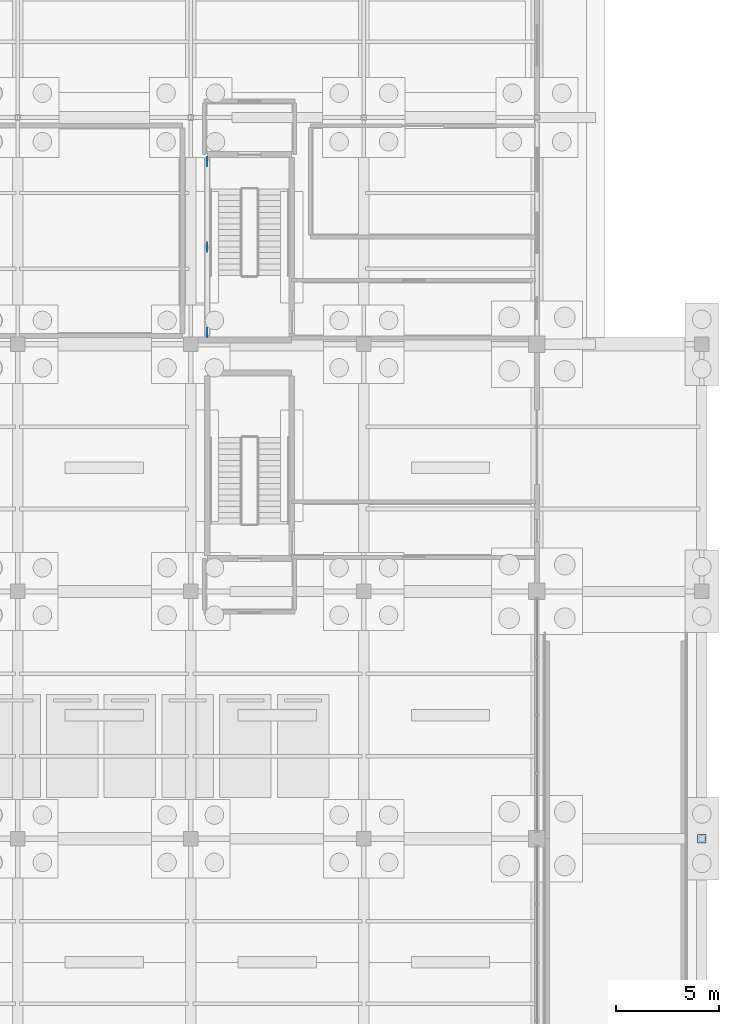
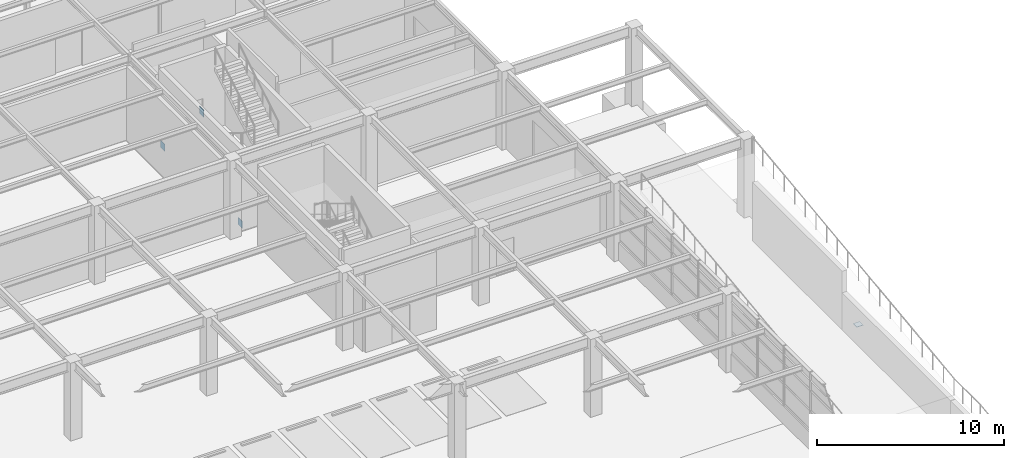
# One storey, part 99 of 129: 4 plates.
"""IFC4 building model written with IfcOpenShell, lengths in metres."""

import ifcopenshell
import ifcopenshell.guid

model = None  # the IFC model being written
_history = None  # IfcOwnerHistory: only IFC2X3 demands one
_inside = {}  # id of a spatial element -> (the spatial element, [elements in it])
_under = {}  # id of a project, library or spatial element -> (it, [spatial elements below it])
_declared = {}  # id of a project -> (the project, [libraries it declares])
_typed = {}  # id of a type object -> (the type object, [elements of that type])
_made_of = {}  # id of a material, layer set ... -> (it, [elements and type objects made of it])


def new_model(schema):
    """Start an empty IFC model of exactly this schema.

    Asked for "IFC4X3", IfcOpenShell would pick the latest addendum, in which some entities
    have other attributes; the version numbers below select the first issue.
    IFC2X3 requires an IfcOwnerHistory on every rooted entity: one is made here for all.
    """
    global model, _history
    if schema == "IFC4X3":
        model = ifcopenshell.file(schema_version=(4, 3, 0, 0))
    else:
        model = ifcopenshell.file(schema=schema)
    _inside.clear()
    _under.clear()
    _declared.clear()
    _typed.clear()
    _made_of.clear()
    _history = None
    if model.schema == "IFC2X3":
        org = make("IfcOrganization", Name="unknown")
        user = make(
            "IfcPersonAndOrganization",
            ThePerson=make("IfcPerson", FamilyName="unknown"),
            TheOrganization=org,
        )
        app = make(
            "IfcApplication",
            ApplicationDeveloper=org,
            Version="unknown",
            ApplicationFullName="unknown",
            ApplicationIdentifier="unknown",
        )
        _history = make(
            "IfcOwnerHistory",
            OwningUser=user,
            OwningApplication=app,
            ChangeAction="ADDED",
            CreationDate=0,
        )
    return model


def make(cls, **values):
    """One entity of the class cls with the attributes given. An attribute that is None is left unset."""
    return model.create_entity(
        cls, **{name: value for name, value in values.items() if value is not None}
    )


def rooted(cls, **values):
    """An entity with a GlobalId (a new one), such as an element, a storey or a relation."""
    return make(cls, GlobalId=ifcopenshell.guid.new(), OwnerHistory=_history, **values)


def si_unit(unit_type, name, prefix=None):
    """IfcSIUnit, for example si_unit("LENGTHUNIT", "METRE", prefix="MILLI")."""
    return make("IfcSIUnit", UnitType=unit_type, Prefix=prefix, Name=name)


def assignment(units):
    """IfcUnitAssignment: the units of a project."""
    return None if units is None else make("IfcUnitAssignment", Units=units)


def point(xyz):
    """IfcCartesianPoint."""
    return None if xyz is None else make("IfcCartesianPoint", Coordinates=xyz)


def direction(xyz):
    """IfcDirection."""
    return None if xyz is None else make("IfcDirection", DirectionRatios=xyz)


def frame(location, z_axis=None, x_axis=None):
    """IfcAxis2Placement3D, a coordinate frame: its origin and axes. An axis left out is left unset."""
    return make(
        "IfcAxis2Placement3D",
        Location=point(location),
        Axis=direction(z_axis),
        RefDirection=direction(x_axis),
    )


def frame_2d(location, x_axis=None):
    """IfcAxis2Placement2D, a coordinate frame in the plane: its origin and x axis."""
    return make(
        "IfcAxis2Placement2D", Location=point(location), RefDirection=direction(x_axis)
    )


def origin():
    """The frame at (0, 0, 0) with its axes left unset."""
    return frame((0.0, 0.0, 0.0))


def origin_2d():
    """The frame at (0, 0) in the plane with its x axis left unset."""
    return frame_2d((0.0, 0.0))


def place(relative_to, where):
    """IfcLocalPlacement: puts the frame where relative to a parent placement (None: the world)."""
    return make(
        "IfcLocalPlacement", PlacementRelTo=relative_to, RelativePlacement=where
    )


def context(
    kind, dimensions, precision=None, world=None, true_north=None, identifier=None
):
    """IfcGeometricRepresentationContext, for example the 3D "Model" context."""
    return make(
        "IfcGeometricRepresentationContext",
        ContextIdentifier=identifier,
        ContextType=kind,
        CoordinateSpaceDimension=dimensions,
        Precision=precision,
        WorldCoordinateSystem=world,
        TrueNorth=true_north,
    )


def subcontext(parent, identifier, kind, view, scale=None):
    """IfcGeometricRepresentationSubContext, for example "Body" below "Model"."""
    return make(
        "IfcGeometricRepresentationSubContext",
        ContextIdentifier=identifier,
        ContextType=kind,
        ParentContext=parent,
        TargetScale=scale,
        TargetView=view,
    )


def project(units=None, contexts=None):
    """IfcProject with its units and contexts."""
    return rooted(
        "IfcProject",
        Name="project",
        RepresentationContexts=contexts,
        UnitsInContext=assignment(units),
    )


def spatial(cls, under=None, at=None, **own):
    """A site, building, storey or space (cls), placed at a placement, below another one or the project."""
    s = rooted(cls, ObjectPlacement=at, **own)
    if under is not None:
        _under.setdefault(under.id(), (under, []))[1].append(s)
    return s


def profile(cls, at=None, kind="AREA", **sizes):
    """A parametric profile (cls). Its sizes go by their IFC names, for example OverallWidth=200.0."""
    return make(cls, ProfileType=kind, Position=at, **sizes)


def rectangle(**sizes):
    """IfcRectangleProfileDef."""
    return profile("IfcRectangleProfileDef", **sizes)


def extrude(swept, where, along, depth):
    """IfcExtrudedAreaSolid: the profile swept, set in the frame where, extruded along a direction by depth."""
    return make(
        "IfcExtrudedAreaSolid",
        SweptArea=swept,
        Position=where,
        ExtrudedDirection=direction(along),
        Depth=depth,
    )


def shape(context_of_items, identifier, shape_type, items):
    """IfcShapeRepresentation: the items that make up one representation, for example the "Body"."""
    return make(
        "IfcShapeRepresentation",
        ContextOfItems=context_of_items,
        RepresentationIdentifier=identifier,
        RepresentationType=shape_type,
        Items=items,
    )


def material(Name=None, Category=None):
    """IfcMaterial."""
    return make("IfcMaterial", Name=Name, Category=Category)


def layer(
    of_material, thickness, ventilated=None, Name=None, Category=None, Priority=None
):
    """IfcMaterialLayer: one layer of a wall or slab, of a material (None: an air gap)."""
    return make(
        "IfcMaterialLayer",
        Material=of_material,
        LayerThickness=thickness,
        IsVentilated=ventilated,
        Name=Name,
        Category=Category,
        Priority=Priority,
    )


def layer_set(layers, Name=None):
    """IfcMaterialLayerSet."""
    return make("IfcMaterialLayerSet", MaterialLayers=layers, LayerSetName=Name)


def made_of(thing, what):
    """Note that an element or type object is made of a material, layer set ...; save() writes the relation."""
    if what is not None:
        _made_of.setdefault(what.id(), (what, []))[1].append(thing)
    return thing


def type_object(cls, material=None, **own):
    """A type object (cls), such as IfcWallType, which elements share."""
    return made_of(rooted(cls, **own), material)


def element(
    cls,
    number,
    at=None,
    inside=None,
    cuts=None,
    type_object=None,
    material=None,
    context=None,
    identifier="Body",
    shape_type=None,
    held_by="IfcProductDefinitionShape",
    body=None,
    shapes=None,
    **own,
):
    """One element of the class cls, such as IfcWall. Its Tag is "e" and its number.

    at: its placement. inside: the storey or other place that contains it. cuts: it is an
    opening in that element (IfcRelVoidsElement). A single representation is given by context,
    identifier, shape_type and body (its items); several are given by shapes. held_by: the class
    of the entity that holds the representations. save() writes the other relations.
    """
    e = rooted(cls, Tag="e%d" % number, ObjectPlacement=at, **own)
    if body is not None:
        shapes = [shape(context, identifier, shape_type, body)]
    if shapes is not None:
        e.Representation = make(held_by, Representations=shapes)
    if inside is not None:
        _inside.setdefault(inside.id(), (inside, []))[1].append(e)
    if cuts is not None:
        rooted(
            "IfcRelVoidsElement", RelatingBuildingElement=cuts, RelatedOpeningElement=e
        )
    if type_object is not None:
        _typed.setdefault(type_object.id(), (type_object, []))[1].append(e)
    return made_of(e, material)


def aggregate(whole, parts):
    """IfcRelAggregates: a whole, such as a stair, and the parts it consists of."""
    return rooted("IfcRelAggregates", RelatingObject=whole, RelatedObjects=parts)


def save(model, path):
    """Write the relations noted so far, then the file.

    IfcRelAggregates (storeys below a building ...), IfcRelContainedInSpatialStructure (elements
    in a storey), IfcRelDefinesByType, IfcRelAssociatesMaterial and IfcRelDeclares: one each for
    every whole, place, type object, material and project.
    """
    for whole, parts in _under.values():
        aggregate(whole, parts)
    for where, things in _inside.values():
        rooted(
            "IfcRelContainedInSpatialStructure",
            RelatedElements=things,
            RelatingStructure=where,
        )
    for kind, things in _typed.values():
        rooted("IfcRelDefinesByType", RelatedObjects=things, RelatingType=kind)
    for what, things in _made_of.values():
        rooted("IfcRelAssociatesMaterial", RelatedObjects=things, RelatingMaterial=what)
    for by, libraries in _declared.values():
        rooted("IfcRelDeclares", RelatingContext=by, RelatedDefinitions=libraries)
    model.write(path)


model = new_model("IFC4")

# Units and contexts
model_context = context("Model", 3, precision=1e-05, world=origin(), true_north=direction((0.0, 1.0)))
body_context = subcontext(model_context, "Body", "Model", "MODEL_VIEW")
ifc_project = project(units=[si_unit("LENGTHUNIT", "METRE"), si_unit("AREAUNIT", "SQUARE_METRE"), si_unit("VOLUMEUNIT", "CUBIC_METRE"), si_unit("PLANEANGLEUNIT", "RADIAN"), si_unit("MASSUNIT", "GRAM", prefix="KILO")], contexts=[model_context])

# Site, building, storey
site_placement = place(None, origin())
site = spatial("IfcSite", under=ifc_project, at=site_placement, CompositionType="ELEMENT")
building_placement = place(site_placement, origin())
building = spatial("IfcBuilding", under=site, at=building_placement, Name="Sitalva Quay Ferry Terminal", CompositionType="ELEMENT")
storey_placement = place(building_placement, origin())
storey = spatial("IfcBuildingStorey", under=building, at=storey_placement, Name="L01", CompositionType="ELEMENT", Elevation=0.0)

# Plates
ifc_material_1 = material(Name="Structural Steel S355JR", Category="steel")
ifc_layer_1 = layer(ifc_material_1, 0.02001953125)
ifc_layer_set_1 = layer_set([ifc_layer_1], Name="Structural Steel S355JR")
plate_type_1 = type_object("IfcPlateType", Name="Gusset_400x400x20", PredefinedType="USERDEFINED", material=ifc_layer_set_1)
plate_placement = place(storey_placement, frame((176.0, 54.0, 0.0), z_axis=(0.0, 0.0, 1.0), x_axis=(1.0, 0.0, 0.0)))
element("IfcPlate", 1, at=plate_placement, inside=storey, type_object=plate_type_1, Name="Apron column 22G head cap plate", ObjectType="FLANGE_PLATE", PredefinedType="USERDEFINED", context=body_context, shape_type="SweptSolid", body=[
    extrude(rectangle(XDim=0.39990234375, YDim=0.39990234375, at=origin_2d()), origin(), (0.0, 0.0, 1.0), 0.02001953125),
])
ifc_material_2 = material(Name="Structural Steel S355JR", Category="steel")
ifc_layer_2 = layer(ifc_material_2, 0.02392578125)
ifc_layer_set_2 = layer_set([ifc_layer_2], Name="Structural Steel S355JR")
plate_type_2 = type_object("IfcPlateType", Name="Gusset_450x450x24", PredefinedType="USERDEFINED", material=ifc_layer_set_2)
for number, where, z_axis, x_axis, name in (
    (2, (152.0, 82.699951171875, 4.6748046875), (0.0, 0.0, 1.0), (1.0, 0.0, 0.0), "Braced frame BF4 L01 APEX gusset"),
    (3, (152.0, 78.550048828125, -0.0751953125), (0.0, 0.0, 1.0), (1.0, 0.0, 0.0), "Braced frame BF4 L01 BASE-A gusset"),
    (4, (152.0, 86.85009765625, -0.0751953125), (0.0, 0.0, 1.0), (1.0, 0.0, 0.0), "Braced frame BF4 L01 BASE-B gusset"),
):
    element("IfcPlate", number, at=place(storey_placement, frame(where, z_axis=z_axis, x_axis=x_axis)), inside=storey, type_object=plate_type_2, Name=name, ObjectType="FLANGE_PLATE", PredefinedType="USERDEFINED", context=body_context, shape_type="SweptSolid", body=[
        extrude(rectangle(XDim=0.02392578125, YDim=0.449951171875, at=origin_2d()), origin(), (0.0, 0.0, 1.0), 0.449951171875),
    ])

save(model, "model.ifc")
